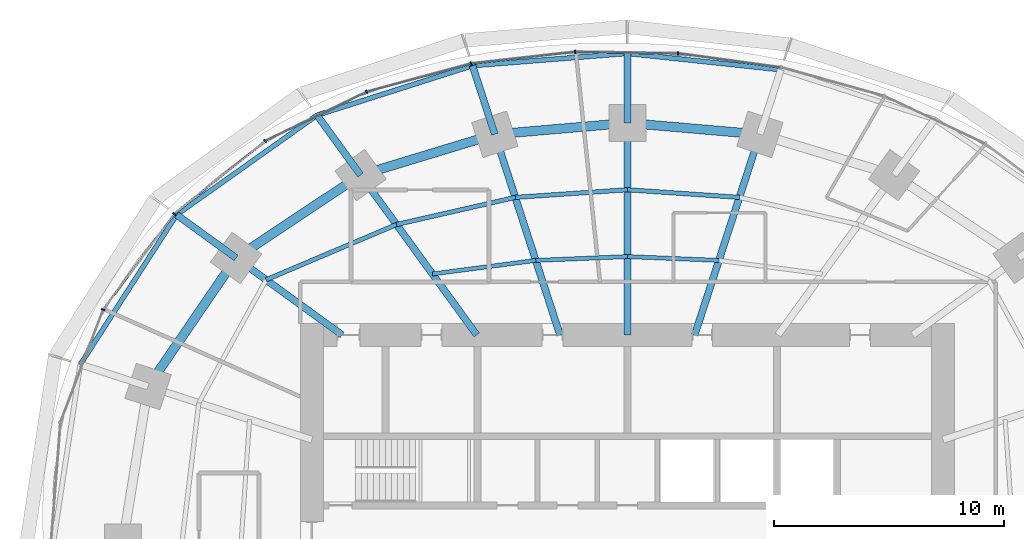
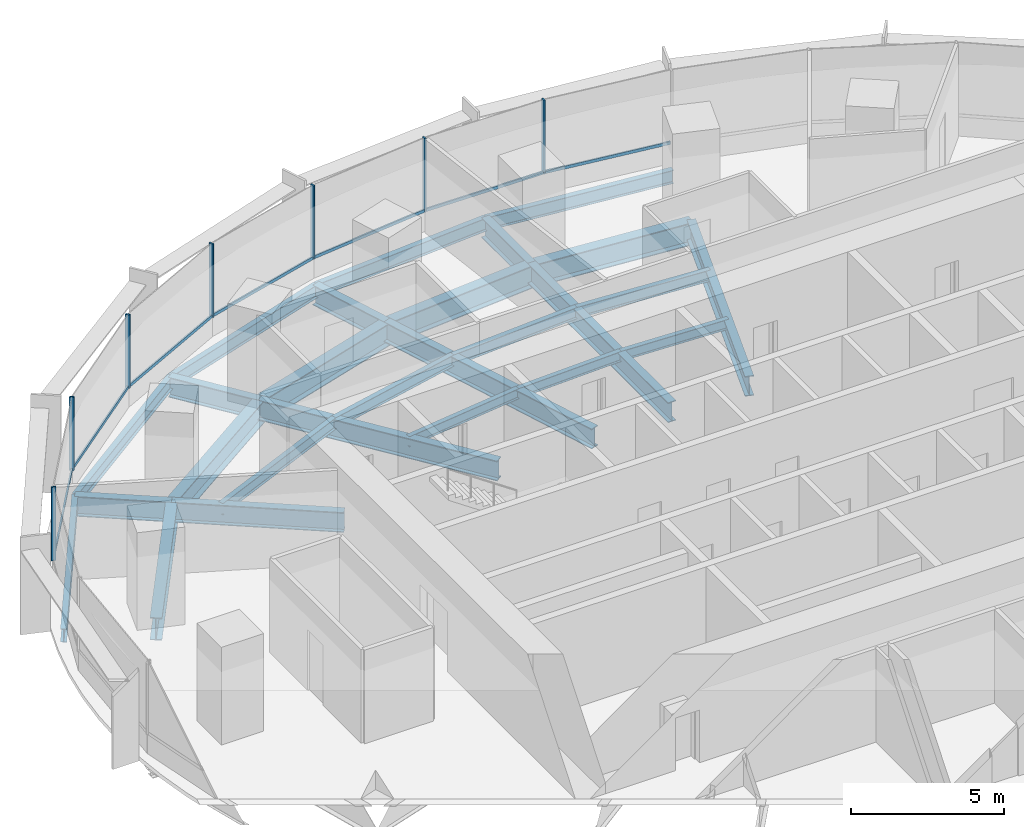
# One storey, part 7 of 14: 26 beams, 14 members, 2 elements without a shape of their own.
"""IFC4 building model written with IfcOpenShell, lengths in metres."""

from ifc_helpers import new_model, si_unit, direction, frame, origin, origin_2d, place, context, subcontext, project, spatial, rectangle, i_section, extrude, material, material_profile, profile_set, type_object, element, aggregate, save


model = new_model("IFC4")

# Units and contexts
model_context = context("Model", 3, precision=1e-05, world=origin(), true_north=direction((0.0, 1.0)))
body_context = subcontext(model_context, "Body", "Model", "MODEL_VIEW")
ifc_project = project(units=[si_unit("LENGTHUNIT", "METRE"), si_unit("AREAUNIT", "SQUARE_METRE"), si_unit("VOLUMEUNIT", "CUBIC_METRE"), si_unit("PLANEANGLEUNIT", "RADIAN"), si_unit("MASSUNIT", "GRAM", prefix="KILO")], contexts=[model_context])

# Site, building, storey
site_placement = place(None, origin())
site = spatial("IfcSite", under=ifc_project, at=site_placement, CompositionType="ELEMENT")
building_placement = place(site_placement, origin())
building = spatial("IfcBuilding", under=site, at=building_placement, Name="Marramba Exchange Tower", CompositionType="ELEMENT")
storey_placement = place(building_placement, frame((0.0, 0.0, 127.5)))
storey = spatial("IfcBuildingStorey", under=building, at=storey_placement, Name="L30", CompositionType="ELEMENT", Elevation=127.5)

# Beams
ifc_material_1 = material(Name="Steel AS/NZS 3679.2 grade 300", Category="steel")
ifc_material_profile_1 = material_profile(ifc_material_1, i_section(OverallWidth=0.300048828125, OverallDepth=0.800048828125, WebThickness=0.013916015625, FlangeThickness=0.031982421875, at=origin_2d()), Name="800WB192")
ifc_profile_set_1 = profile_set([ifc_material_profile_1], Name="Steel AS/NZS 3679.2 grade 300")
beam_type_1 = type_object("IfcBeamType", Name="Cantilever girder 800WB192", PredefinedType="BEAM", material=ifc_profile_set_1)
beam_1_placement = place(storey_placement, frame((0.0, 18.2041015625, -0.56005859375), z_axis=(0.0, 1.0, 0.0), x_axis=(-1.0, 0.0, 0.0)))
element("IfcBeam", 1, at=beam_1_placement, inside=storey, type_object=beam_type_1, Name="Cantilever girder L30 TC06", PredefinedType="BEAM", context=body_context, shape_type="SweptSolid", body=[
    extrude(i_section(OverallWidth=0.300048828125, OverallDepth=0.800048828125, WebThickness=0.013916015625, FlangeThickness=0.031982421875, at=origin_2d()), origin(), (0.0, 0.0, 1.0), 3.01904296875),
])
beam_2_placement = place(storey_placement, frame((-5.75390625, 17.70849609375, -0.56005859375), z_axis=(-0.309028002802, 0.95105293937, 0.0), x_axis=(-0.95105293937, -0.309028002802, 0.0)))
element("IfcBeam", 2, at=beam_2_placement, inside=storey, type_object=beam_type_1, Name="Cantilever girder L30 TC07", PredefinedType="BEAM", context=body_context, shape_type="SweptSolid", body=[
    extrude(i_section(OverallWidth=0.300048828125, OverallDepth=0.800048828125, WebThickness=0.013916015625, FlangeThickness=0.031982421875, at=origin_2d()), origin(), (0.0, 0.0, 1.0), 3.13720703125),
])
beam_3_placement = place(storey_placement, frame((-11.581298828125, 15.9404296875, -0.56005859375), z_axis=(-0.587828447158, 0.808985609706, 0.0), x_axis=(-0.808985609706, -0.587828447158, 0.0)))
element("IfcBeam", 3, at=beam_3_placement, inside=storey, type_object=beam_type_1, Name="Cantilever girder L30 TC08", PredefinedType="BEAM", context=body_context, shape_type="SweptSolid", body=[
    extrude(i_section(OverallWidth=0.300048828125, OverallDepth=0.800048828125, WebThickness=0.013916015625, FlangeThickness=0.031982421875, at=origin_2d()), origin(), (0.0, 0.0, 1.0), 3.214599609375),
])
beam_4_placement = place(storey_placement, frame((-16.98583984375, 12.3408203125, -0.56005859375), z_axis=(-0.809013857915, 0.587789569234, 0.0), x_axis=(-0.587789569234, -0.809013857915, 0.0)))
element("IfcBeam", 4, at=beam_4_placement, inside=storey, type_object=beam_type_1, Name="Cantilever girder L30 TC09", PredefinedType="BEAM", context=body_context, shape_type="SweptSolid", body=[
    extrude(i_section(OverallWidth=0.300048828125, OverallDepth=0.800048828125, WebThickness=0.013916015625, FlangeThickness=0.031982421875, at=origin_2d()), origin(), (0.0, 0.0, 1.0), 3.191650390625),
])
ifc_material_2 = material(Name="Steel AS/NZS 3679.1 grade 300", Category="steel")
ifc_material_profile_2 = material_profile(ifc_material_2, i_section(OverallWidth=0.177978515625, OverallDepth=0.406005859375, WebThickness=0.0078125, FlangeThickness=0.0126953125, FilletRadius=0.011474609375, at=origin_2d()), Name="410UB59.7")
ifc_profile_set_2 = profile_set([ifc_material_profile_2], Name="Steel AS/NZS 3679.1 grade 300")
beam_type_2 = type_object("IfcBeamType", Name="Floor joist 410UB59.7", PredefinedType="JOIST", material=ifc_profile_set_2)
for number, where, z_axis, x_axis, name in (
    (5, (3.975830078125, 12.236083984375, -0.363037109375), (-0.999137002892, 0.041536122257, 0.0), (-0.041536122257, -0.999137002892, 0.0), "Joist L30 bay 05 row 1"),
    (6, (0.0, 12.4013671875, -0.363037109375), (-0.999137002892, -0.041536122257, 0.0), (0.041536122257, -0.999137002892, 0.0), "Joist L30 bay 06 row 1"),
):
    element("IfcBeam", number, at=place(storey_placement, frame(where, z_axis=z_axis, x_axis=x_axis)), inside=storey, type_object=beam_type_2, Name=name, PredefinedType="JOIST", context=body_context, shape_type="SweptSolid", body=[
        extrude(i_section(OverallWidth=0.177978515625, OverallDepth=0.406005859375, WebThickness=0.0078125, FlangeThickness=0.0126953125, FilletRadius=0.011474609375, at=origin_2d()), origin(), (0.0, 0.0, 1.0), 3.979248046875),
    ])
beam_5_placement = place(storey_placement, frame((-3.975830078125, 12.236083984375, -0.363037109375), z_axis=(-0.991480538255, -0.130254912618, 0.0), x_axis=(0.130254912618, -0.991480538255, 0.0)))
element("IfcBeam", 7, at=beam_5_placement, inside=storey, type_object=beam_type_2, Name="Joist L30 bay 07 row 1", PredefinedType="JOIST", context=body_context, shape_type="SweptSolid", body=[
    extrude(i_section(OverallWidth=0.177978515625, OverallDepth=0.406005859375, WebThickness=0.0078125, FlangeThickness=0.0126953125, FilletRadius=0.011474609375, at=origin_2d()), origin(), (0.0, 0.0, 1.0), 4.524658203125),
])
ifc_material_profile_3 = material_profile(ifc_material_2, i_section(OverallWidth=0.18994140625, OverallDepth=0.4541015625, WebThickness=0.008544921875, FlangeThickness=0.0126953125, FilletRadius=0.011474609375, at=origin_2d()), Name="460UB67.1")
ifc_profile_set_3 = profile_set([ifc_material_profile_3], Name="Steel AS/NZS 3679.1 grade 300")
beam_type_3 = type_object("IfcBeamType", Name="Floor joist 460UB67.1", PredefinedType="JOIST", material=ifc_profile_set_3)
for number, where, z_axis, x_axis, name in (
    (8, (4.86474609375, 14.972412109375, -0.386962890625), (-0.997702652202, 0.067745241816, 0.0), (-0.067745241816, -0.997702652202, 0.0), "Joist L30 bay 05 row 2"),
    (9, (0.0, 15.302734375, -0.386962890625), (-0.997702652202, -0.067745241816, 0.0), (0.067745241816, -0.997702652202, 0.0), "Joist L30 bay 06 row 2"),
):
    element("IfcBeam", number, at=place(storey_placement, frame(where, z_axis=z_axis, x_axis=x_axis)), inside=storey, type_object=beam_type_3, Name=name, PredefinedType="JOIST", context=body_context, shape_type="SweptSolid", body=[
        extrude(i_section(OverallWidth=0.18994140625, OverallDepth=0.4541015625, WebThickness=0.008544921875, FlangeThickness=0.0126953125, FilletRadius=0.011474609375, at=origin_2d()), origin(), (0.0, 0.0, 1.0), 4.8759765625),
    ])
beam_6_placement = place(storey_placement, frame((-4.86474609375, 14.972412109375, -0.386962890625), z_axis=(-0.974859652292, -0.222819788916, 0.0), x_axis=(0.222819788916, -0.974859652292, 0.0)))
element("IfcBeam", 10, at=beam_6_placement, inside=storey, type_object=beam_type_3, Name="Joist L30 bay 07 row 2", PredefinedType="JOIST", context=body_context, shape_type="SweptSolid", body=[
    extrude(i_section(OverallWidth=0.18994140625, OverallDepth=0.4541015625, WebThickness=0.008544921875, FlangeThickness=0.0126953125, FilletRadius=0.011474609375, at=origin_2d()), origin(), (0.0, 0.0, 1.0), 5.2900390625),
])
beam_7_placement = place(storey_placement, frame((-10.021728515625, 13.793701171875, -0.386962890625), z_axis=(-0.920674336375, -0.390331610738, 0.0), x_axis=(0.390331610738, -0.920674336375, 0.0)))
element("IfcBeam", 11, at=beam_7_placement, inside=storey, type_object=beam_type_3, Name="Joist L30 bay 08 row 2", PredefinedType="JOIST", context=body_context, shape_type="SweptSolid", body=[
    extrude(i_section(OverallWidth=0.18994140625, OverallDepth=0.4541015625, WebThickness=0.008544921875, FlangeThickness=0.0126953125, FilletRadius=0.011474609375, at=origin_2d()), origin(), (0.0, 0.0, 1.0), 6.1484375),
])

# Curtain wall, members
ifc_material_3 = material(Name="Aluminium framing, bronze anodised", Category="aluminium")
curtain_wall_type = type_object("IfcCurtainWallType", Name="Office ribbon curtain wall", PredefinedType="USERDEFINED", material=ifc_material_3)
curtain_wall_1_placement = place(storey_placement, origin())
curtain_wall_1 = element("IfcCurtainWall", 12, at=curtain_wall_1_placement, inside=storey, type_object=curtain_wall_type, Name="Curtain wall CW4 L30 F06-F10", ObjectType="RIBBON CURTAIN WALL", PredefinedType="USERDEFINED")
ifc_material_4 = material(Name="Aluminium mullion, bronze anodised", Category="aluminium")
ifc_material_profile_4 = material_profile(ifc_material_4, rectangle(XDim=0.159912109375, YDim=0.06005859375, at=origin_2d()), Name="CW4 mullion 60x160")
ifc_profile_set_4 = profile_set([ifc_material_profile_4], Name="Aluminium mullion, bronze anodised")
member_type_1 = type_object("IfcMemberType", Name="Office ribbon curtain wall mullion", PredefinedType="MULLION", material=ifc_profile_set_4)
member_1_placement = place(storey_placement, frame((2.200439453125, 21.2216796875, 0.800048828125), z_axis=(0.0, 0.0, 1.0), x_axis=(-0.01575578169, -0.999875869968, 0.0)))
member_1 = element("IfcMember", 13, at=member_1_placement, type_object=member_type_1, Name="CW4 mullion 1", PredefinedType="MULLION", context=body_context, shape_type="SweptSolid", body=[
    extrude(rectangle(XDim=0.159912109375, YDim=0.06005859375, at=origin_2d()), origin(), (0.0, 0.0, 1.0), 2.93994140625),
])
member_2_placement = place(storey_placement, frame((-2.267578125, 21.288330078125, 0.800048828125), z_axis=(0.0, 0.0, 1.0), x_axis=(0.110973233233, -0.993823395532, 0.0)))
member_2 = element("IfcMember", 14, at=member_2_placement, type_object=member_type_1, Name="CW4 mullion 1", PredefinedType="MULLION", context=body_context, shape_type="SweptSolid", body=[
    extrude(rectangle(XDim=0.159912109375, YDim=0.06005859375, at=origin_2d()), origin(), (0.0, 0.0, 1.0), 2.93994140625),
])
member_3_placement = place(storey_placement, frame((-6.783203125, 20.779541015625, 0.800048828125), z_axis=(0.0, 0.0, 1.0), x_axis=(0.260321294588, -0.965522047176, 0.0)))
member_3 = element("IfcMember", 15, at=member_3_placement, type_object=member_type_1, Name="CW4 mullion 1", PredefinedType="MULLION", context=body_context, shape_type="SweptSolid", body=[
    extrude(rectangle(XDim=0.159912109375, YDim=0.06005859375, at=origin_2d()), origin(), (0.0, 0.0, 1.0), 2.93994140625),
])

curtain_wall_2_placement = place(storey_placement, origin())
curtain_wall_2 = element("IfcCurtainWall", 16, at=curtain_wall_2_placement, inside=storey, type_object=curtain_wall_type, Name="Curtain wall CW4 L30 F11-F15", ObjectType="RIBBON CURTAIN WALL", PredefinedType="USERDEFINED")
member_4_placement = place(storey_placement, frame((-11.32177734375, 19.550048828125, 0.800048828125), z_axis=(0.0, 0.0, 1.0), x_axis=(0.435427626771, -0.900223739881, 0.0)))
member_4 = element("IfcMember", 17, at=member_4_placement, type_object=member_type_1, Name="CW4 mullion 1", PredefinedType="MULLION", context=body_context, shape_type="SweptSolid", body=[
    extrude(rectangle(XDim=0.159912109375, YDim=0.06005859375, at=origin_2d()), origin(), (0.0, 0.0, 1.0), 2.93994140625),
])
member_5_placement = place(storey_placement, frame((-15.720703125, 17.414794921875, 0.800048828125), z_axis=(0.0, 0.0, 1.0), x_axis=(0.624307950145, -0.78117833008, 0.0)))
member_5 = element("IfcMember", 18, at=member_5_placement, type_object=member_type_1, Name="CW4 mullion 1", PredefinedType="MULLION", context=body_context, shape_type="SweptSolid", body=[
    extrude(rectangle(XDim=0.159912109375, YDim=0.06005859375, at=origin_2d()), origin(), (0.0, 0.0, 1.0), 2.93994140625),
])
member_6_placement = place(storey_placement, frame((-19.666748046875, 14.251708984375, 0.800048828125), z_axis=(0.0, 0.0, 1.0), x_axis=(0.80171686484, -0.597703997504, 0.0)))
member_6 = element("IfcMember", 19, at=member_6_placement, type_object=member_type_1, Name="CW4 mullion 1", PredefinedType="MULLION", context=body_context, shape_type="SweptSolid", body=[
    extrude(rectangle(XDim=0.159912109375, YDim=0.06005859375, at=origin_2d()), origin(), (0.0, 0.0, 1.0), 2.93994140625),
])
member_7_placement = place(storey_placement, frame((-22.75341796875, 10.09765625, 0.800048828125), z_axis=(0.0, 0.0, 1.0), x_axis=(0.934925346317, -0.354844468484, 0.0)))
member_7 = element("IfcMember", 20, at=member_7_placement, type_object=member_type_1, Name="CW4 mullion 1", PredefinedType="MULLION", context=body_context, shape_type="SweptSolid", body=[
    extrude(rectangle(XDim=0.159912109375, YDim=0.06005859375, at=origin_2d()), origin(), (0.0, 0.0, 1.0), 2.93994140625),
])

# Member
ifc_material_5 = material(Name="Aluminium transom, bronze anodised", Category="aluminium")
ifc_material_profile_5 = material_profile(ifc_material_5, rectangle(XDim=0.06005859375, YDim=0.1201171875, at=origin_2d()), Name="CW4 transom 60x120")
ifc_profile_set_5 = profile_set([ifc_material_profile_5], Name="Aluminium transom, bronze anodised")
member_type_2 = type_object("IfcMemberType", Name="Office ribbon curtain wall transom", PredefinedType="USERDEFINED", material=ifc_profile_set_5)
member_8_placement = place(storey_placement, frame((6.636962890625, 20.6171875, 0.830078125), z_axis=(-0.990736067897, 0.135801486619, 0.0), x_axis=(-0.135801486619, -0.990736067897, 0.0)))
member_8 = element("IfcMember", 21, at=member_8_placement, type_object=member_type_2, Name="CW4 sill transom", ObjectType="TRANSOM", PredefinedType="USERDEFINED", context=body_context, shape_type="SweptSolid", body=[
    extrude(rectangle(XDim=0.06005859375, YDim=0.1201171875, at=origin_2d()), origin(), (0.0, 0.0, 1.0), 4.44775390625),
])

member_9_placement = place(storey_placement, frame((2.17041015625, 21.22216796875, 0.830078125), z_axis=(-0.999875452363, 0.015782260962, 0.0), x_axis=(-0.015782260962, -0.999875452363, 0.0)))
member_9 = element("IfcMember", 22, at=member_9_placement, type_object=member_type_2, Name="CW4 sill transom", ObjectType="TRANSOM", PredefinedType="USERDEFINED", context=body_context, shape_type="SweptSolid", body=[
    extrude(rectangle(XDim=0.06005859375, YDim=0.1201171875, at=origin_2d()), origin(), (0.0, 0.0, 1.0), 4.40869140625),
])

member_10_placement = place(storey_placement, frame((-2.29736328125, 21.284912109375, 0.830078125), z_axis=(-0.993825837835, -0.110951358943, 0.0), x_axis=(0.110951358943, -0.993825837835, 0.0)))
member_10 = element("IfcMember", 23, at=member_10_placement, type_object=member_type_2, Name="CW4 sill transom", ObjectType="TRANSOM", PredefinedType="USERDEFINED", context=body_context, shape_type="SweptSolid", body=[
    extrude(rectangle(XDim=0.06005859375, YDim=0.1201171875, at=origin_2d()), origin(), (0.0, 0.0, 1.0), 4.484375),
])

member_11_placement = place(storey_placement, frame((-6.812255859375, 20.771728515625, 0.830078125), z_axis=(-0.965511085148, -0.260361948942, 0.0), x_axis=(0.260361948942, -0.965511085148, 0.0)))
member_11 = element("IfcMember", 24, at=member_11_placement, type_object=member_type_2, Name="CW4 sill transom", ObjectType="TRANSOM", PredefinedType="USERDEFINED", context=body_context, shape_type="SweptSolid", body=[
    extrude(rectangle(XDim=0.06005859375, YDim=0.1201171875, at=origin_2d()), origin(), (0.0, 0.0, 1.0), 4.642578125),
])

aggregate(curtain_wall_1, [member_8, member_1, member_9, member_2, member_10, member_3, member_11])

member_12_placement = place(storey_placement, frame((-11.348876953125, 19.536865234375, 0.830078125), z_axis=(-0.900223166385, -0.435428812442, 0.0), x_axis=(0.435428812442, -0.900223166385, 0.0)))
member_12 = element("IfcMember", 25, at=member_12_placement, type_object=member_type_2, Name="CW4 sill transom", ObjectType="TRANSOM", PredefinedType="USERDEFINED", context=body_context, shape_type="SweptSolid", body=[
    extrude(rectangle(XDim=0.06005859375, YDim=0.1201171875, at=origin_2d()), origin(), (0.0, 0.0, 1.0), 4.830322265625),
])

member_13_placement = place(storey_placement, frame((-15.744140625, 17.396240234375, 0.830078125), z_axis=(-0.781164169531, -0.624325668414, 0.0), x_axis=(0.624325668414, -0.781164169531, 0.0)))
member_13 = element("IfcMember", 26, at=member_13_placement, type_object=member_type_2, Name="CW4 sill transom", ObjectType="TRANSOM", PredefinedType="USERDEFINED", context=body_context, shape_type="SweptSolid", body=[
    extrude(rectangle(XDim=0.06005859375, YDim=0.1201171875, at=origin_2d()), origin(), (0.0, 0.0, 1.0), 4.998291015625),
])

member_14_placement = place(storey_placement, frame((-19.6845703125, 14.2275390625, 0.830078125), z_axis=(-0.597714731658, -0.801708862093, 0.0), x_axis=(0.801708862093, -0.597714731658, 0.0)))
member_14 = element("IfcMember", 27, at=member_14_placement, type_object=member_type_2, Name="CW4 sill transom", ObjectType="TRANSOM", PredefinedType="USERDEFINED", context=body_context, shape_type="SweptSolid", body=[
    extrude(rectangle(XDim=0.06005859375, YDim=0.1201171875, at=origin_2d()), origin(), (0.0, 0.0, 1.0), 5.1162109375),
])

aggregate(curtain_wall_2, [member_4, member_12, member_5, member_13, member_6, member_14, member_7])

# Beams
ifc_material_profile_6 = material_profile(ifc_material_1, i_section(OverallWidth=0.300048828125, OverallDepth=0.800048828125, WebThickness=0.013916015625, FlangeThickness=0.031982421875, at=origin_2d()), Name="800WB192")
ifc_profile_set_6 = profile_set([ifc_material_profile_6], Name="Steel AS/NZS 3679.2 grade 300")
beam_type_4 = type_object("IfcBeamType", Name="Radial girder 800WB192", PredefinedType="BEAM", material=ifc_profile_set_6)
beam_8_placement = place(storey_placement, frame((2.92431640625, 9.0, -0.56005859375), z_axis=(0.309019754162, 0.951055619582, 0.0), x_axis=(-0.951055619582, 0.309019754162, 0.0)))
element("IfcBeam", 28, at=beam_8_placement, inside=storey, type_object=beam_type_4, Name="Radial girder L30 TC05", PredefinedType="BEAM", context=body_context, shape_type="SweptSolid", body=[
    extrude(i_section(OverallWidth=0.300048828125, OverallDepth=0.800048828125, WebThickness=0.013916015625, FlangeThickness=0.031982421875, at=origin_2d()), origin(), (0.0, 0.0, 1.0), 9.15673828125),
])
beam_9_placement = place(storey_placement, frame((0.0, 9.0, -0.56005859375), z_axis=(0.0, 1.0, 0.0), x_axis=(-1.0, 0.0, 0.0)))
element("IfcBeam", 29, at=beam_9_placement, inside=storey, type_object=beam_type_4, Name="Radial girder L30 TC06", PredefinedType="BEAM", context=body_context, shape_type="SweptSolid", body=[
    extrude(i_section(OverallWidth=0.300048828125, OverallDepth=0.800048828125, WebThickness=0.013916015625, FlangeThickness=0.031982421875, at=origin_2d()), origin(), (0.0, 0.0, 1.0), 9.2041015625),
])
beam_10_placement = place(storey_placement, frame((-2.92431640625, 9.0, -0.56005859375), z_axis=(-0.309019754162, 0.951055619582, 0.0), x_axis=(-0.951055619582, -0.309019754162, 0.0)))
element("IfcBeam", 30, at=beam_10_placement, inside=storey, type_object=beam_type_4, Name="Radial girder L30 TC07", PredefinedType="BEAM", context=body_context, shape_type="SweptSolid", body=[
    extrude(i_section(OverallWidth=0.300048828125, OverallDepth=0.800048828125, WebThickness=0.013916015625, FlangeThickness=0.031982421875, at=origin_2d()), origin(), (0.0, 0.0, 1.0), 9.15673828125),
])
beam_11_placement = place(storey_placement, frame((-6.538818359375, 9.0, -0.56005859375), z_axis=(-0.587782439969, 0.80901903764, 0.0), x_axis=(-0.80901903764, -0.587782439969, 0.0)))
element("IfcBeam", 31, at=beam_11_placement, inside=storey, type_object=beam_type_4, Name="Radial girder L30 TC08", PredefinedType="BEAM", context=body_context, shape_type="SweptSolid", body=[
    extrude(i_section(OverallWidth=0.300048828125, OverallDepth=0.800048828125, WebThickness=0.013916015625, FlangeThickness=0.031982421875, at=origin_2d()), origin(), (0.0, 0.0, 1.0), 8.578857421875),
])
beam_12_placement = place(storey_placement, frame((-12.387451171875, 9.0, -0.56005859375), z_axis=(-0.809025746925, 0.587773205252, 0.0), x_axis=(-0.587773205252, -0.809025746925, 0.0)))
element("IfcBeam", 32, at=beam_12_placement, inside=storey, type_object=beam_type_4, Name="Radial girder L30 TC09", PredefinedType="BEAM", context=body_context, shape_type="SweptSolid", body=[
    extrude(i_section(OverallWidth=0.300048828125, OverallDepth=0.800048828125, WebThickness=0.013916015625, FlangeThickness=0.031982421875, at=origin_2d()), origin(), (0.0, 0.0, 1.0), 5.683837890625),
])
ifc_material_profile_7 = material_profile(ifc_material_1, i_section(OverallWidth=0.39990234375, OverallDepth=0.89990234375, WebThickness=0.01611328125, FlangeThickness=0.031982421875, at=origin_2d()), Name="900WB282")
ifc_profile_set_7 = profile_set([ifc_material_profile_7], Name="Steel AS/NZS 3679.2 grade 300")
beam_type_5 = type_object("IfcBeamType", Name="Ring beam 900WB282", PredefinedType="SPANDREL", material=ifc_profile_set_7)
for number, where, z_axis, x_axis, name in (
    (33, (5.75390625, 17.70849609375, -0.610107421875), (-0.996311003275, 0.085815993578, 0.0), (-0.085815993578, -0.996311003275, 0.0), "Ring beam L30 TC05-TC06"),
    (34, (0.0, 18.2041015625, -0.610107421875), (-0.996311003275, -0.085815993578, 0.0), (0.085815993578, -0.996311003275, 0.0), "Ring beam L30 TC06-TC07"),
):
    element("IfcBeam", number, at=place(storey_placement, frame(where, z_axis=z_axis, x_axis=x_axis)), inside=storey, type_object=beam_type_5, Name=name, PredefinedType="SPANDREL", context=body_context, shape_type="SweptSolid", body=[
        extrude(i_section(OverallWidth=0.39990234375, OverallDepth=0.89990234375, WebThickness=0.01611328125, FlangeThickness=0.031982421875, at=origin_2d()), origin(), (0.0, 0.0, 1.0), 5.775146484375),
    ])
beam_13_placement = place(storey_placement, frame((-5.75390625, 17.70849609375, -0.610107421875), z_axis=(-0.956924542524, -0.290336735387, 0.0), x_axis=(0.290336735387, -0.956924542524, 0.0)))
element("IfcBeam", 35, at=beam_13_placement, inside=storey, type_object=beam_type_5, Name="Ring beam L30 TC07-TC08", PredefinedType="SPANDREL", context=body_context, shape_type="SweptSolid", body=[
    extrude(i_section(OverallWidth=0.39990234375, OverallDepth=0.89990234375, WebThickness=0.01611328125, FlangeThickness=0.031982421875, at=origin_2d()), origin(), (0.0, 0.0, 1.0), 6.089599609375),
])
beam_14_placement = place(storey_placement, frame((-11.581298828125, 15.9404296875, -0.610107421875), z_axis=(-0.832293151443, -0.554335737673, 0.0), x_axis=(0.554335737673, -0.832293151443, 0.0)))
element("IfcBeam", 36, at=beam_14_placement, inside=storey, type_object=beam_type_5, Name="Ring beam L30 TC08-TC09", PredefinedType="SPANDREL", context=body_context, shape_type="SweptSolid", body=[
    extrude(i_section(OverallWidth=0.39990234375, OverallDepth=0.89990234375, WebThickness=0.01611328125, FlangeThickness=0.031982421875, at=origin_2d()), origin(), (0.0, 0.0, 1.0), 6.49365234375),
])
beam_15_placement = place(storey_placement, frame((-16.98583984375, 12.3408203125, -0.610107421875), z_axis=(-0.56516002054, -0.824981303535, 0.0), x_axis=(0.824981303535, -0.56516002054, 0.0)))
element("IfcBeam", 37, at=beam_15_placement, inside=storey, type_object=beam_type_5, Name="Ring beam L30 TC09-TC10", PredefinedType="SPANDREL", context=body_context, shape_type="SweptSolid", body=[
    extrude(i_section(OverallWidth=0.39990234375, OverallDepth=0.89990234375, WebThickness=0.01611328125, FlangeThickness=0.031982421875, at=origin_2d()), origin(), (0.0, 0.0, 1.0), 6.763671875),
])
ifc_material_profile_8 = material_profile(ifc_material_2, i_section(OverallWidth=0.208984375, OverallDepth=0.528076171875, WebThickness=0.009521484375, FlangeThickness=0.01318359375, FilletRadius=0.013916015625, at=origin_2d()), Name="530UB82.0")
ifc_profile_set_8 = profile_set([ifc_material_profile_8], Name="Steel AS/NZS 3679.1 grade 300")
beam_type_6 = type_object("IfcBeamType", Name="Slab edge beam 530UB82.0", PredefinedType="SPANDREL", material=ifc_profile_set_8)
beam_16_placement = place(storey_placement, frame((6.66552734375, 20.51416015625, -0.424072265625), z_axis=(-0.994390706415, 0.105769196815, 0.0), x_axis=(-0.105769196815, -0.994390706415, 0.0)))
element("IfcBeam", 38, at=beam_16_placement, inside=storey, type_object=beam_type_6, Name="Slab edge beam L30 TC05-TC06", PredefinedType="SPANDREL", context=body_context, shape_type="SweptSolid", body=[
    extrude(i_section(OverallWidth=0.208984375, OverallDepth=0.528076171875, WebThickness=0.009521484375, FlangeThickness=0.01318359375, FilletRadius=0.013916015625, at=origin_2d()), origin(), (0.0, 0.0, 1.0), 6.703125),
])
beam_17_placement = place(storey_placement, frame((0.0, 21.22314453125, -0.424072265625), z_axis=(-0.996895681721, -0.078733726996, 0.0), x_axis=(0.078733726996, -0.996895681721, 0.0)))
element("IfcBeam", 39, at=beam_17_placement, inside=storey, type_object=beam_type_6, Name="Slab edge beam L30 TC06-TC07", PredefinedType="SPANDREL", context=body_context, shape_type="SweptSolid", body=[
    extrude(i_section(OverallWidth=0.208984375, OverallDepth=0.528076171875, WebThickness=0.009521484375, FlangeThickness=0.01318359375, FilletRadius=0.013916015625, at=origin_2d()), origin(), (0.0, 0.0, 1.0), 6.744384765625),
])
beam_18_placement = place(storey_placement, frame((-6.723388671875, 20.692138671875, -0.424072265625), z_axis=(-0.952755400854, -0.303738614839, 0.0), x_axis=(0.303738614839, -0.952755400854, 0.0)))
element("IfcBeam", 40, at=beam_18_placement, inside=storey, type_object=beam_type_6, Name="Slab edge beam L30 TC07-TC08", PredefinedType="SPANDREL", context=body_context, shape_type="SweptSolid", body=[
    extrude(i_section(OverallWidth=0.208984375, OverallDepth=0.528076171875, WebThickness=0.009521484375, FlangeThickness=0.01318359375, FilletRadius=0.013916015625, at=origin_2d()), origin(), (0.0, 0.0, 1.0), 7.08203125),
])
beam_19_placement = place(storey_placement, frame((-13.470947265625, 18.541015625, -0.424072265625), z_axis=(-0.815673202412, -0.578512944425, 0.0), x_axis=(0.578512944425, -0.815673202412, 0.0)))
element("IfcBeam", 41, at=beam_19_placement, inside=storey, type_object=beam_type_6, Name="Slab edge beam L30 TC08-TC09", PredefinedType="SPANDREL", context=body_context, shape_type="SweptSolid", body=[
    extrude(i_section(OverallWidth=0.208984375, OverallDepth=0.528076171875, WebThickness=0.009521484375, FlangeThickness=0.01318359375, FilletRadius=0.013916015625, at=origin_2d()), origin(), (0.0, 0.0, 1.0), 7.474609375),
])
beam_20_placement = place(storey_placement, frame((-19.56787109375, 14.216796875, -0.424072265625), z_axis=(-0.541060886597, -0.840983422544, 0.0), x_axis=(0.840983422544, -0.541060886597, 0.0)))
element("IfcBeam", 42, at=beam_20_placement, inside=storey, type_object=beam_type_6, Name="Slab edge beam L30 TC09-TC10", PredefinedType="SPANDREL", context=body_context, shape_type="SweptSolid", body=[
    extrude(i_section(OverallWidth=0.208984375, OverallDepth=0.528076171875, WebThickness=0.009521484375, FlangeThickness=0.01318359375, FilletRadius=0.013916015625, at=origin_2d()), origin(), (0.0, 0.0, 1.0), 7.72900390625),
])

save(model, "model.ifc")
